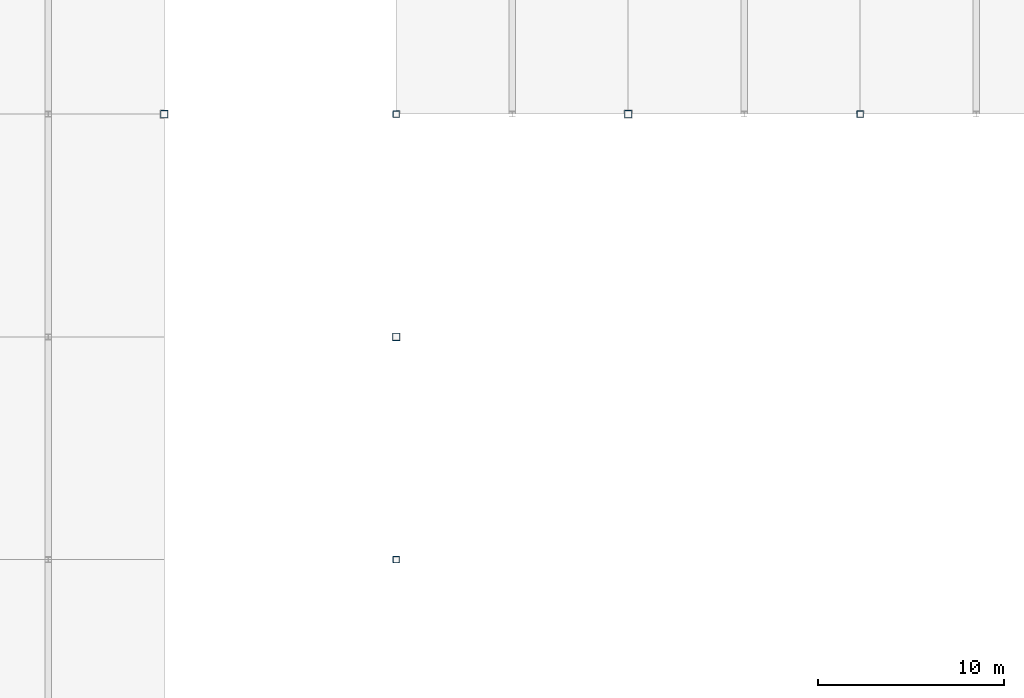
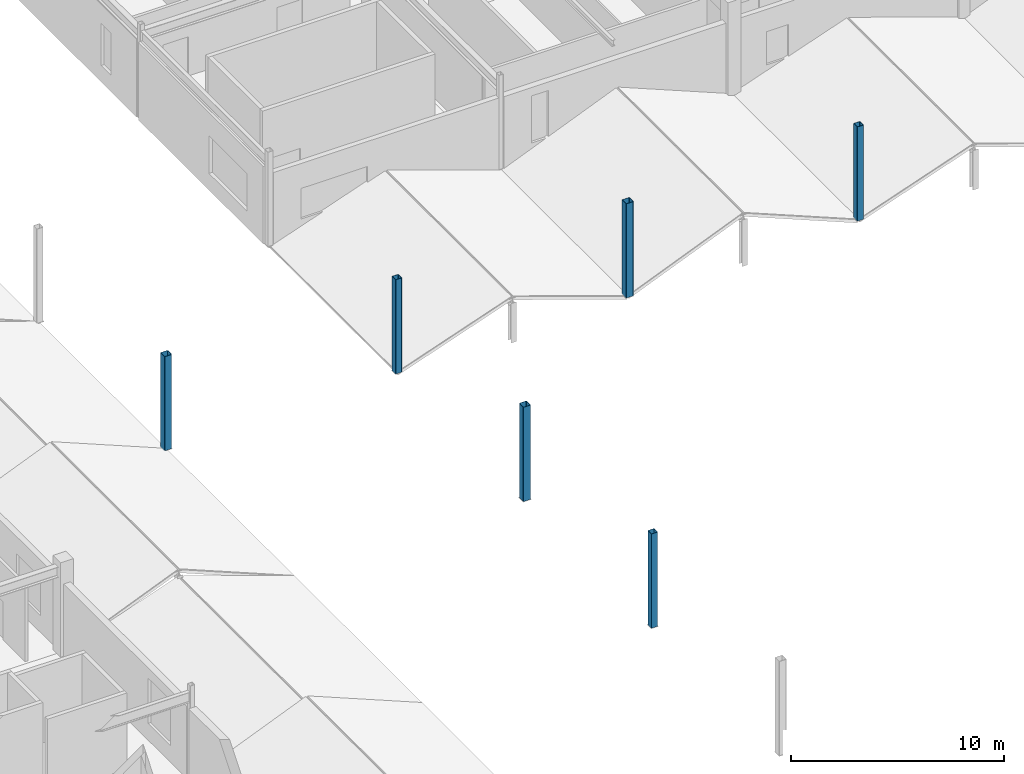
# One storey, part 10 of 76: 6 columns.
"""IFC4 building model written with IfcOpenShell, lengths in metres."""

from ifc_helpers import new_model, si_unit, direction, frame, origin, origin_2d, place, context, subcontext, project, spatial, hollow_rectangle, extrude, material, material_profile, profile_set, type_object, element, save


model = new_model("IFC4")

# Units and contexts
model_context = context("Model", 3, precision=1e-05, world=origin(), true_north=direction((0.0, 1.0)))
body_context = subcontext(model_context, "Body", "Model", "MODEL_VIEW")
ifc_project = project(units=[si_unit("LENGTHUNIT", "METRE"), si_unit("AREAUNIT", "SQUARE_METRE"), si_unit("VOLUMEUNIT", "CUBIC_METRE"), si_unit("PLANEANGLEUNIT", "RADIAN"), si_unit("MASSUNIT", "GRAM", prefix="KILO")], contexts=[model_context])

# Site, building, storey
site_placement = place(None, origin())
site = spatial("IfcSite", under=ifc_project, at=site_placement, CompositionType="ELEMENT")
building_placement = place(site_placement, origin())
building = spatial("IfcBuilding", under=site, at=building_placement, Name="Kazenohara Klinker Stadium", CompositionType="ELEMENT")
storey_placement = place(building_placement, frame((0.0, 0.0, 25.800048828125)))
storey = spatial("IfcBuildingStorey", under=building, at=storey_placement, Name="L05", CompositionType="ELEMENT", Elevation=25.800048828125)

# Columns
ifc_material = material(Name="Steel S355", Category="steel")
ifc_material_profile_1 = material_profile(ifc_material, hollow_rectangle(XDim=0.39990234375, YDim=0.39990234375, WallThickness=0.01611328125, InnerFilletRadius=0.01611328125, OuterFilletRadius=0.031982421875, at=origin_2d()), Name="SHS-400x400x16")
ifc_profile_set_1 = profile_set([ifc_material_profile_1], Name="Steel S355")
column_type_1 = type_object("IfcColumnType", Name="COL-ST01", PredefinedType="COLUMN", material=ifc_profile_set_1)
for number, where, z_axis, x_axis, name in (
    (1, (36.5, 132.0, 0.0), (0.0, 0.0, 1.0), (1.0, 0.0, 0.0), "Canopy ring support column SC01 L05 4/M"),
    (2, (49.0, 120.0, 0.0), (0.0, 0.0, 1.0), (1.0, 0.0, 0.0), "Canopy ring support column SC01 L05 5/L"),
    (3, (61.5, 132.0, 0.0), (0.0, 0.0, 1.0), (1.0, 0.0, 0.0), "Canopy ring support column SC01 L05 6/M"),
):
    element("IfcColumn", number, at=place(storey_placement, frame(where, z_axis=z_axis, x_axis=x_axis)), inside=storey, type_object=column_type_1, Name=name, PredefinedType="COLUMN", context=body_context, shape_type="SweptSolid", body=[
        extrude(hollow_rectangle(XDim=0.39990234375, YDim=0.39990234375, WallThickness=0.01611328125, InnerFilletRadius=0.01611328125, OuterFilletRadius=0.031982421875, at=origin_2d()), origin(), (0.0, 0.0, 1.0), 5.39990234375),
    ])
ifc_material_profile_2 = material_profile(ifc_material, hollow_rectangle(XDim=0.35009765625, YDim=0.35009765625, WallThickness=0.01611328125, InnerFilletRadius=0.01611328125, OuterFilletRadius=0.031982421875, at=origin_2d()), Name="SHS-350x350x16")
ifc_profile_set_2 = profile_set([ifc_material_profile_2], Name="Steel S355")
column_type_2 = type_object("IfcColumnType", Name="COL-ST02", PredefinedType="COLUMN", material=ifc_profile_set_2)
for number, where, z_axis, x_axis, name in (
    (4, (49.0, 108.0, 0.0), (0.0, 0.0, 1.0), (1.0, 0.0, 0.0), "Canopy ring support column SC02 L05 5/K"),
    (5, (49.0, 132.0, 0.0), (0.0, 0.0, 1.0), (1.0, 0.0, 0.0), "Canopy ring support column SC02 L05 5/M"),
    (6, (74.0, 132.0, 0.0), (0.0, 0.0, 1.0), (1.0, 0.0, 0.0), "Canopy ring support column SC02 L05 7/M"),
):
    element("IfcColumn", number, at=place(storey_placement, frame(where, z_axis=z_axis, x_axis=x_axis)), inside=storey, type_object=column_type_2, Name=name, PredefinedType="COLUMN", context=body_context, shape_type="SweptSolid", body=[
        extrude(hollow_rectangle(XDim=0.35009765625, YDim=0.35009765625, WallThickness=0.01611328125, InnerFilletRadius=0.01611328125, OuterFilletRadius=0.031982421875, at=origin_2d()), origin(), (0.0, 0.0, 1.0), 5.39990234375),
    ])

save(model, "model.ifc")
